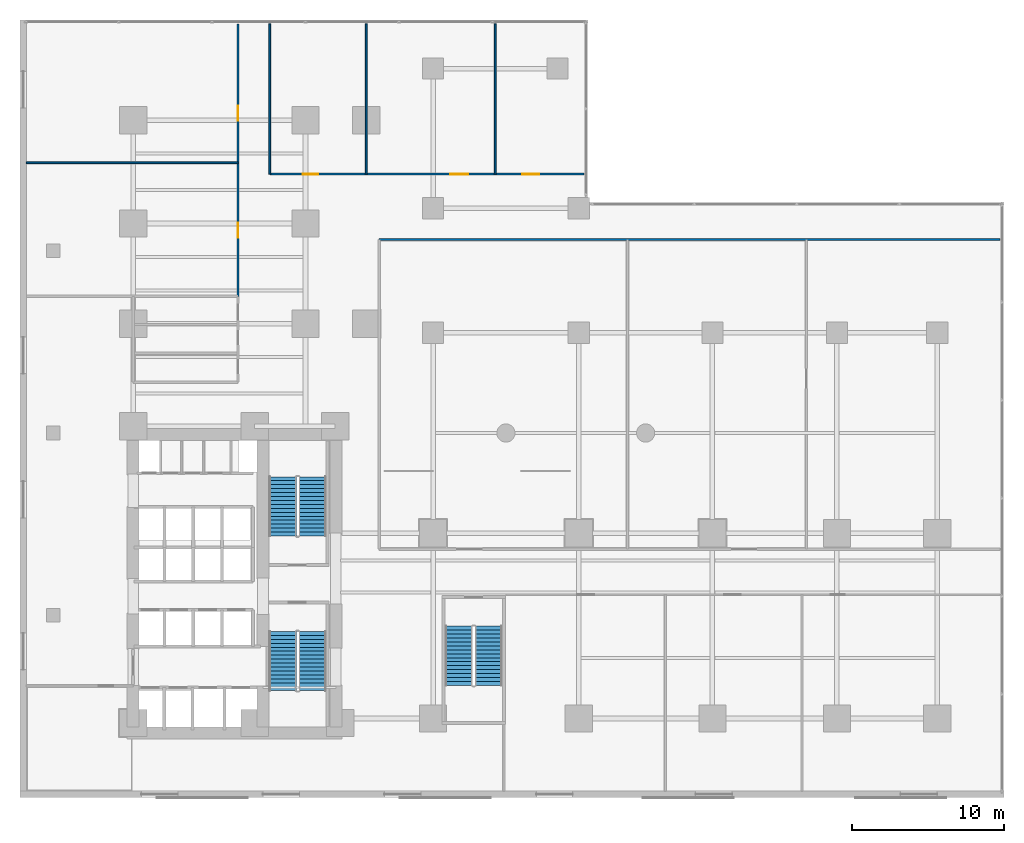
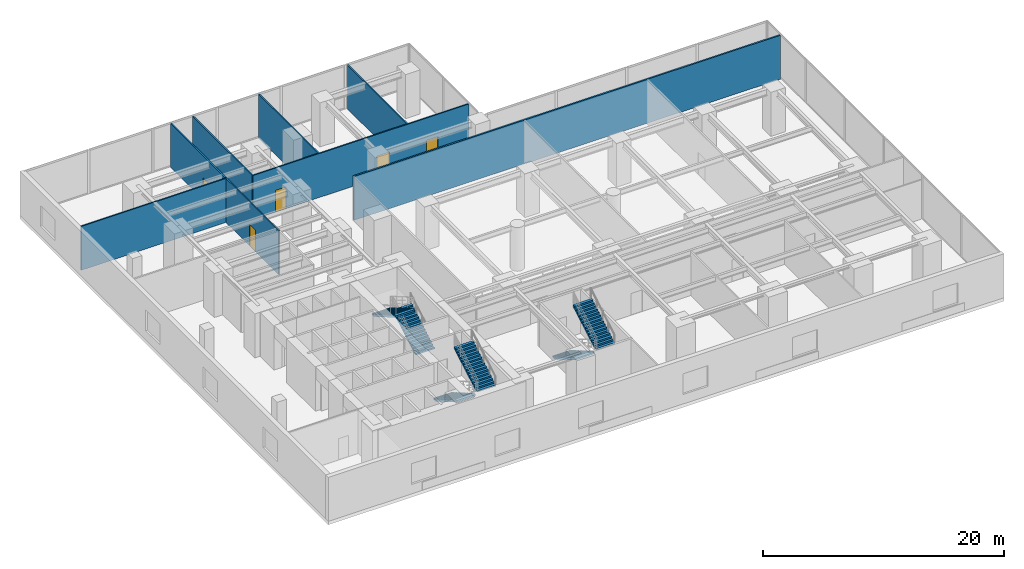
# One storey, part 14 of 16: 7 walls, 6 stair flights, 5 doors, 5 openings, 3 elements without a shape of their own.
"""IFC4 building model written with IfcOpenShell, lengths in metres."""

import ifcopenshell
import ifcopenshell.guid

model = None  # the IFC model being written
_history = None  # IfcOwnerHistory: only IFC2X3 demands one
_inside = {}  # id of a spatial element -> (the spatial element, [elements in it])
_under = {}  # id of a project, library or spatial element -> (it, [spatial elements below it])
_declared = {}  # id of a project -> (the project, [libraries it declares])
_typed = {}  # id of a type object -> (the type object, [elements of that type])
_made_of = {}  # id of a material, layer set ... -> (it, [elements and type objects made of it])


def new_model(schema):
    """Start an empty IFC model of exactly this schema.

    Asked for "IFC4X3", IfcOpenShell would pick the latest addendum, in which some entities
    have other attributes; the version numbers below select the first issue.
    IFC2X3 requires an IfcOwnerHistory on every rooted entity: one is made here for all.
    """
    global model, _history
    if schema == "IFC4X3":
        model = ifcopenshell.file(schema_version=(4, 3, 0, 0))
    else:
        model = ifcopenshell.file(schema=schema)
    _inside.clear()
    _under.clear()
    _declared.clear()
    _typed.clear()
    _made_of.clear()
    _history = None
    if model.schema == "IFC2X3":
        org = make("IfcOrganization", Name="unknown")
        user = make(
            "IfcPersonAndOrganization",
            ThePerson=make("IfcPerson", FamilyName="unknown"),
            TheOrganization=org,
        )
        app = make(
            "IfcApplication",
            ApplicationDeveloper=org,
            Version="unknown",
            ApplicationFullName="unknown",
            ApplicationIdentifier="unknown",
        )
        _history = make(
            "IfcOwnerHistory",
            OwningUser=user,
            OwningApplication=app,
            ChangeAction="ADDED",
            CreationDate=0,
        )
    return model


def make(cls, **values):
    """One entity of the class cls with the attributes given. An attribute that is None is left unset."""
    return model.create_entity(
        cls, **{name: value for name, value in values.items() if value is not None}
    )


def rooted(cls, **values):
    """An entity with a GlobalId (a new one), such as an element, a storey or a relation."""
    return make(cls, GlobalId=ifcopenshell.guid.new(), OwnerHistory=_history, **values)


def si_unit(unit_type, name, prefix=None):
    """IfcSIUnit, for example si_unit("LENGTHUNIT", "METRE", prefix="MILLI")."""
    return make("IfcSIUnit", UnitType=unit_type, Prefix=prefix, Name=name)


def assignment(units):
    """IfcUnitAssignment: the units of a project."""
    return None if units is None else make("IfcUnitAssignment", Units=units)


def point(xyz):
    """IfcCartesianPoint."""
    return None if xyz is None else make("IfcCartesianPoint", Coordinates=xyz)


def direction(xyz):
    """IfcDirection."""
    return None if xyz is None else make("IfcDirection", DirectionRatios=xyz)


def frame(location, z_axis=None, x_axis=None):
    """IfcAxis2Placement3D, a coordinate frame: its origin and axes. An axis left out is left unset."""
    return make(
        "IfcAxis2Placement3D",
        Location=point(location),
        Axis=direction(z_axis),
        RefDirection=direction(x_axis),
    )


def frame_2d(location, x_axis=None):
    """IfcAxis2Placement2D, a coordinate frame in the plane: its origin and x axis."""
    return make(
        "IfcAxis2Placement2D", Location=point(location), RefDirection=direction(x_axis)
    )


def origin():
    """The frame at (0, 0, 0) with its axes left unset."""
    return frame((0.0, 0.0, 0.0))


def place(relative_to, where):
    """IfcLocalPlacement: puts the frame where relative to a parent placement (None: the world)."""
    return make(
        "IfcLocalPlacement", PlacementRelTo=relative_to, RelativePlacement=where
    )


def context(
    kind, dimensions, precision=None, world=None, true_north=None, identifier=None
):
    """IfcGeometricRepresentationContext, for example the 3D "Model" context."""
    return make(
        "IfcGeometricRepresentationContext",
        ContextIdentifier=identifier,
        ContextType=kind,
        CoordinateSpaceDimension=dimensions,
        Precision=precision,
        WorldCoordinateSystem=world,
        TrueNorth=true_north,
    )


def subcontext(parent, identifier, kind, view, scale=None):
    """IfcGeometricRepresentationSubContext, for example "Body" below "Model"."""
    return make(
        "IfcGeometricRepresentationSubContext",
        ContextIdentifier=identifier,
        ContextType=kind,
        ParentContext=parent,
        TargetScale=scale,
        TargetView=view,
    )


def project(units=None, contexts=None):
    """IfcProject with its units and contexts."""
    return rooted(
        "IfcProject",
        Name="project",
        RepresentationContexts=contexts,
        UnitsInContext=assignment(units),
    )


def spatial(cls, under=None, at=None, **own):
    """A site, building, storey or space (cls), placed at a placement, below another one or the project."""
    s = rooted(cls, ObjectPlacement=at, **own)
    if under is not None:
        _under.setdefault(under.id(), (under, []))[1].append(s)
    return s


def polyline(points):
    """IfcPolyline through the points."""
    return make("IfcPolyline", Points=[point(p) for p in points])


def profile(cls, at=None, kind="AREA", **sizes):
    """A parametric profile (cls). Its sizes go by their IFC names, for example OverallWidth=200.0."""
    return make(cls, ProfileType=kind, Position=at, **sizes)


def rectangle(**sizes):
    """IfcRectangleProfileDef."""
    return profile("IfcRectangleProfileDef", **sizes)


def outline(outer, holes=None, kind="AREA"):
    """IfcArbitraryClosedProfileDef: a profile drawn as a closed curve; with holes, ...WithVoids."""
    if holes is None:
        return make("IfcArbitraryClosedProfileDef", ProfileType=kind, OuterCurve=outer)
    return make(
        "IfcArbitraryProfileDefWithVoids",
        ProfileType=kind,
        OuterCurve=outer,
        InnerCurves=holes,
    )


def extrude(swept, where, along, depth):
    """IfcExtrudedAreaSolid: the profile swept, set in the frame where, extruded along a direction by depth."""
    return make(
        "IfcExtrudedAreaSolid",
        SweptArea=swept,
        Position=where,
        ExtrudedDirection=direction(along),
        Depth=depth,
    )


def shape(context_of_items, identifier, shape_type, items):
    """IfcShapeRepresentation: the items that make up one representation, for example the "Body"."""
    return make(
        "IfcShapeRepresentation",
        ContextOfItems=context_of_items,
        RepresentationIdentifier=identifier,
        RepresentationType=shape_type,
        Items=items,
    )


def material(Name=None, Category=None):
    """IfcMaterial."""
    return make("IfcMaterial", Name=Name, Category=Category)


def layer(
    of_material, thickness, ventilated=None, Name=None, Category=None, Priority=None
):
    """IfcMaterialLayer: one layer of a wall or slab, of a material (None: an air gap)."""
    return make(
        "IfcMaterialLayer",
        Material=of_material,
        LayerThickness=thickness,
        IsVentilated=ventilated,
        Name=Name,
        Category=Category,
        Priority=Priority,
    )


def layer_set(layers, Name=None):
    """IfcMaterialLayerSet."""
    return make("IfcMaterialLayerSet", MaterialLayers=layers, LayerSetName=Name)


def made_of(thing, what):
    """Note that an element or type object is made of a material, layer set ...; save() writes the relation."""
    if what is not None:
        _made_of.setdefault(what.id(), (what, []))[1].append(thing)
    return thing


def type_object(cls, material=None, **own):
    """A type object (cls), such as IfcWallType, which elements share."""
    return made_of(rooted(cls, **own), material)


def element(
    cls,
    number,
    at=None,
    inside=None,
    cuts=None,
    type_object=None,
    material=None,
    context=None,
    identifier="Body",
    shape_type=None,
    held_by="IfcProductDefinitionShape",
    body=None,
    shapes=None,
    **own,
):
    """One element of the class cls, such as IfcWall. Its Tag is "e" and its number.

    at: its placement. inside: the storey or other place that contains it. cuts: it is an
    opening in that element (IfcRelVoidsElement). A single representation is given by context,
    identifier, shape_type and body (its items); several are given by shapes. held_by: the class
    of the entity that holds the representations. save() writes the other relations.
    """
    e = rooted(cls, Tag="e%d" % number, ObjectPlacement=at, **own)
    if body is not None:
        shapes = [shape(context, identifier, shape_type, body)]
    if shapes is not None:
        e.Representation = make(held_by, Representations=shapes)
    if inside is not None:
        _inside.setdefault(inside.id(), (inside, []))[1].append(e)
    if cuts is not None:
        rooted(
            "IfcRelVoidsElement", RelatingBuildingElement=cuts, RelatedOpeningElement=e
        )
    if type_object is not None:
        _typed.setdefault(type_object.id(), (type_object, []))[1].append(e)
    return made_of(e, material)


def fill(opening, filler):
    """IfcRelFillsElement: the door or window that sits in an opening."""
    return rooted(
        "IfcRelFillsElement",
        RelatingOpeningElement=opening,
        RelatedBuildingElement=filler,
    )


def aggregate(whole, parts):
    """IfcRelAggregates: a whole, such as a stair, and the parts it consists of."""
    return rooted("IfcRelAggregates", RelatingObject=whole, RelatedObjects=parts)


def save(model, path):
    """Write the relations noted so far, then the file.

    IfcRelAggregates (storeys below a building ...), IfcRelContainedInSpatialStructure (elements
    in a storey), IfcRelDefinesByType, IfcRelAssociatesMaterial and IfcRelDeclares: one each for
    every whole, place, type object, material and project.
    """
    for whole, parts in _under.values():
        aggregate(whole, parts)
    for where, things in _inside.values():
        rooted(
            "IfcRelContainedInSpatialStructure",
            RelatedElements=things,
            RelatingStructure=where,
        )
    for kind, things in _typed.values():
        rooted("IfcRelDefinesByType", RelatedObjects=things, RelatingType=kind)
    for what, things in _made_of.values():
        rooted("IfcRelAssociatesMaterial", RelatedObjects=things, RelatingMaterial=what)
    for by, libraries in _declared.values():
        rooted("IfcRelDeclares", RelatingContext=by, RelatedDefinitions=libraries)
    model.write(path)


model = new_model("IFC4")

# Units and contexts
model_context = context("Model", 3, precision=1e-05, world=origin(), true_north=direction((0.0, 1.0)))
body_context = subcontext(model_context, "Body", "Model", "MODEL_VIEW")
ifc_project = project(units=[si_unit("LENGTHUNIT", "METRE"), si_unit("AREAUNIT", "SQUARE_METRE"), si_unit("VOLUMEUNIT", "CUBIC_METRE"), si_unit("PLANEANGLEUNIT", "RADIAN"), si_unit("MASSUNIT", "GRAM", prefix="KILO")], contexts=[model_context])

# Site, building, storey
site_placement = place(None, origin())
site = spatial("IfcSite", under=ifc_project, at=site_placement, CompositionType="ELEMENT")
building_placement = place(site_placement, origin())
building = spatial("IfcBuilding", under=site, at=building_placement, Name="Kolvaren Waterfront Exchange", CompositionType="ELEMENT")
storey_placement = place(building_placement, frame((0.0, 0.0, 15.199951171875)))
storey = spatial("IfcBuildingStorey", under=building, at=storey_placement, Name="L04", CompositionType="ELEMENT", Elevation=15.199951171875)

# Wall, openings, doors
ifc_material_1 = material(Name="Acoustic gypsum steel stud", Category="steel")
ifc_layer_1 = layer(ifc_material_1, 0.125, Name="Acoustic gypsum steel stud")
ifc_layer_set_1 = layer_set([ifc_layer_1], Name="Acoustic gypsum steel stud")
wall_type_1 = type_object("IfcWallType", Name="ARC-PART-125", PredefinedType="PARTITIONING", material=ifc_layer_set_1)
wall_1_placement = place(storey_placement, frame((14.35009765625, 33.0, 0.0), z_axis=(0.0, 0.0, 1.0), x_axis=(0.0, 1.0, 0.0)))
wall_1 = element("IfcWall", 1, at=wall_1_placement, inside=storey, type_object=wall_type_1, Name="L04 interior wall PW-L04-POD-NW-E", PredefinedType="PARTITIONING", context=body_context, shape_type="SweptSolid", body=[
    extrude(rectangle(XDim=17.949951171875, YDim=0.125, at=frame_2d((8.97509765625, 0.0))), origin(), (0.0, 0.0, 1.0), 4.4599609375),
])
opening_1_placement = place(wall_1_placement, frame((3.85009765625, 0.0, 0.0)))
opening_1 = element("IfcOpeningElement", 2, at=opening_1_placement, cuts=wall_1, Name="Opening D03", PredefinedType="OPENING", context=body_context, shape_type="SweptSolid", body=[
    extrude(rectangle(XDim=1.0, YDim=2.199951171875, at=frame_2d((0.5, 1.10009765625))), frame((0.0, 0.072509765625, 0.0), z_axis=(0.0, -1.0, 0.0), x_axis=(1.0, 0.0, 0.0)), (0.0, 0.0, 1.0), 0.14501953125),
])
opening_2_placement = place(wall_1_placement, frame((11.550048828125, 0.0, 0.0)))
opening_2 = element("IfcOpeningElement", 3, at=opening_2_placement, cuts=wall_1, Name="Opening D03", PredefinedType="OPENING", context=body_context, shape_type="SweptSolid", body=[
    extrude(rectangle(XDim=1.0, YDim=2.199951171875, at=frame_2d((0.5, 1.10009765625))), frame((0.0, 0.072509765625, 0.0), z_axis=(0.0, -1.0, 0.0), x_axis=(1.0, 0.0, 0.0)), (0.0, 0.0, 1.0), 0.14501953125),
])
ifc_material_2 = material(Name="Oak veneer accessible timber", Category="wood")
door_type_1 = type_object("IfcDoorType", Name="ARC-DR-1000", OperationType="NOTDEFINED", PredefinedType="DOOR", material=ifc_material_2)
door_1_placement = place(opening_1_placement, origin())
door_1 = element("IfcDoor", 4, at=door_1_placement, inside=storey, type_object=door_type_1, Name="L04 door DR-L04-PIT1-D (D03)", OperationType="SINGLE_SWING_RIGHT", OverallHeight=2.199951171875, OverallWidth=1.0, PredefinedType="DOOR", context=body_context, shape_type="SweptSolid", body=[
    extrude(rectangle(XDim=1.0, YDim=2.199951171875, at=frame_2d((0.5, 1.10009765625))), frame((0.0, 0.02490234375, 0.0), z_axis=(0.0, -1.0, 0.0), x_axis=(1.0, 0.0, 0.0)), (0.0, 0.0, 1.0), 0.050048828125),
])
fill(opening_1, door_1)
door_2_placement = place(opening_2_placement, origin())
door_2 = element("IfcDoor", 5, at=door_2_placement, inside=storey, type_object=door_type_1, Name="L04 door DR-L04-PIT2-D (D03)", OperationType="SINGLE_SWING_LEFT", OverallHeight=2.199951171875, OverallWidth=1.0, PredefinedType="DOOR", context=body_context, shape_type="SweptSolid", body=[
    extrude(rectangle(XDim=1.0, YDim=2.199951171875, at=frame_2d((0.5, 1.10009765625))), frame((0.0, 0.02490234375, 0.0), z_axis=(0.0, -1.0, 0.0), x_axis=(1.0, 0.0, 0.0)), (0.0, 0.0, 1.0), 0.050048828125),
])
fill(opening_2, door_2)

# Wall
wall_2_placement = place(storey_placement, frame((0.419921875, 41.800048828125, 0.0), z_axis=(0.0, 0.0, 1.0), x_axis=(1.0, 0.0, 0.0)))
element("IfcWall", 6, at=wall_2_placement, inside=storey, type_object=wall_type_1, Name="L04 interior wall PW-L04-POD-NW-MID", PredefinedType="PARTITIONING", context=body_context, shape_type="SweptSolid", body=[
    extrude(rectangle(XDim=13.93017578125, YDim=0.125, at=frame_2d((6.965087890625, 0.0))), origin(), (0.0, 0.0, 1.0), 4.4599609375),
])

# Wall, openings, doors
wall_3_placement = place(storey_placement, frame((16.449951171875, 41.050048828125, 0.0), z_axis=(0.0, 0.0, 1.0), x_axis=(1.0, 0.0, 0.0)))
wall_3 = element("IfcWall", 7, at=wall_3_placement, inside=storey, type_object=wall_type_1, Name="L04 interior wall PW-L04-POD-NE-S", PredefinedType="PARTITIONING", context=body_context, shape_type="SweptSolid", body=[
    extrude(rectangle(XDim=20.699951171875, YDim=0.125, at=frame_2d((10.35009765625, 0.0))), origin(), (0.0, 0.0, 1.0), 4.4599609375),
])
opening_3_placement = place(wall_3_placement, frame((2.177978515625, 0.0, 0.0)))
opening_3 = element("IfcOpeningElement", 8, at=opening_3_placement, cuts=wall_3, Name="Opening D03", PredefinedType="OPENING", context=body_context, shape_type="SweptSolid", body=[
    extrude(rectangle(XDim=1.0, YDim=2.199951171875, at=frame_2d((0.5, 1.10009765625))), frame((0.0, 0.072509765625, 0.0), z_axis=(0.0, -1.0, 0.0), x_axis=(1.0, 0.0, 0.0)), (0.0, 0.0, 1.0), 0.14501953125),
])
opening_4_placement = place(wall_3_placement, frame((11.880859375, 0.0, 0.0)))
opening_4 = element("IfcOpeningElement", 9, at=opening_4_placement, cuts=wall_3, Name="Opening D05", PredefinedType="OPENING", context=body_context, shape_type="SweptSolid", body=[
    extrude(rectangle(XDim=1.199951171875, YDim=2.25, at=frame_2d((0.60009765625, 1.125))), frame((0.0, 0.072509765625, 0.0), z_axis=(0.0, -1.0, 0.0), x_axis=(1.0, 0.0, 0.0)), (0.0, 0.0, 1.0), 0.14501953125),
])
opening_5_placement = place(wall_3_placement, frame((16.62890625, 0.0, 0.0)))
opening_5 = element("IfcOpeningElement", 10, at=opening_5_placement, cuts=wall_3, Name="Opening D04", PredefinedType="OPENING", context=body_context, shape_type="SweptSolid", body=[
    extrude(rectangle(XDim=1.10009765625, YDim=2.199951171875, at=frame_2d((0.550048828125, 1.10009765625))), frame((0.0, 0.072509765625, 0.0), z_axis=(0.0, -1.0, 0.0), x_axis=(1.0, 0.0, 0.0)), (0.0, 0.0, 1.0), 0.14501953125),
])
door_3_placement = place(opening_3_placement, origin())
door_3 = element("IfcDoor", 11, at=door_3_placement, inside=storey, type_object=door_type_1, Name="L04 door DR-L04-POPS-D (D03)", OperationType="SINGLE_SWING_RIGHT", OverallHeight=2.199951171875, OverallWidth=1.0, PredefinedType="DOOR", context=body_context, shape_type="SweptSolid", body=[
    extrude(rectangle(XDim=1.0, YDim=2.199951171875, at=frame_2d((0.5, 1.10009765625))), frame((0.0, 0.02490234375, 0.0), z_axis=(0.0, -1.0, 0.0), x_axis=(1.0, 0.0, 0.0)), (0.0, 0.0, 1.0), 0.050048828125),
])
fill(opening_3, door_3)
ifc_material_3 = material(Name="Anodised bronze framed glass", Category="aluminium")
door_type_2 = type_object("IfcDoorType", Name="ARC-DR-1100", OperationType="NOTDEFINED", PredefinedType="DOOR", material=ifc_material_3)
door_4_placement = place(opening_5_placement, origin())
door_4 = element("IfcDoor", 12, at=door_4_placement, inside=storey, type_object=door_type_2, Name="L04 door DR-L04-PFOY2-D (D04)", OperationType="SINGLE_SWING_RIGHT", OverallHeight=2.199951171875, OverallWidth=1.10009765625, PredefinedType="DOOR", context=body_context, shape_type="SweptSolid", body=[
    extrude(rectangle(XDim=1.10009765625, YDim=2.199951171875, at=frame_2d((0.550048828125, 1.10009765625))), frame((0.0, 0.02490234375, 0.0), z_axis=(0.0, -1.0, 0.0), x_axis=(1.0, 0.0, 0.0)), (0.0, 0.0, 1.0), 0.050048828125),
])
fill(opening_5, door_4)
door_type_3 = type_object("IfcDoorType", Name="ARC-DR-1200", OperationType="NOTDEFINED", PredefinedType="DOOR", material=ifc_material_3)
door_5_placement = place(opening_4_placement, origin())
door_5 = element("IfcDoor", 13, at=door_5_placement, inside=storey, type_object=door_type_3, Name="L04 door DR-L04-PFOY1-D (D05)", OperationType="SINGLE_SWING_LEFT", OverallHeight=2.25, OverallWidth=1.199951171875, PredefinedType="DOOR", context=body_context, shape_type="SweptSolid", body=[
    extrude(rectangle(XDim=1.199951171875, YDim=2.25, at=frame_2d((0.60009765625, 1.125))), frame((0.0, 0.02490234375, 0.0), z_axis=(0.0, -1.0, 0.0), x_axis=(1.0, 0.0, 0.0)), (0.0, 0.0, 1.0), 0.050048828125),
])
fill(opening_4, door_5)

# Walls
for number, where, z_axis, x_axis, name in (
    (14, (16.449951171875, 41.050048828125, 0.0), (0.0, 0.0, 1.0), (0.0, 1.0, 0.0), "L04 interior wall PW-L04-POD-NE-W0"),
    (15, (22.800048828125, 41.050048828125, 0.0), (0.0, 0.0, 1.0), (0.0, 1.0, 0.0), "L04 interior wall PW-L04-POD-NE-M1"),
    (16, (31.300048828125, 41.050048828125, 0.0), (0.0, 0.0, 1.0), (0.0, 1.0, 0.0), "L04 interior wall PW-L04-POD-NE-M2"),
):
    element("IfcWall", number, at=place(storey_placement, frame(where, z_axis=z_axis, x_axis=x_axis)), inside=storey, type_object=wall_type_1, Name=name, PredefinedType="PARTITIONING", context=body_context, shape_type="SweptSolid", body=[
        extrude(rectangle(XDim=9.89990234375, YDim=0.125, at=frame_2d((4.949951171875, 0.0))), origin(), (0.0, 0.0, 1.0), 4.4599609375),
    ])
ifc_material_4 = material(Name="Gypsum fireboard steel stud", Category="steel")
ifc_layer_2 = layer(ifc_material_4, 0.14990234375, Name="Gypsum fireboard steel stud")
ifc_layer_set_2 = layer_set([ifc_layer_2], Name="Gypsum fireboard steel stud")
wall_type_2 = type_object("IfcWallType", Name="ARC-PART-150", PredefinedType="PARTITIONING", material=ifc_layer_set_2)
wall_4_placement = place(storey_placement, frame((23.64990234375, 36.75, 0.0), z_axis=(0.0, 0.0, 1.0), x_axis=(1.0, 0.0, 0.0)))
element("IfcWall", 17, at=wall_4_placement, inside=storey, type_object=wall_type_2, Name="L04 interior wall PW-L04-POD-HALL-N", PredefinedType="PARTITIONING", context=body_context, shape_type="SweptSolid", body=[
    extrude(rectangle(XDim=40.900146484375, YDim=0.14990234375, at=frame_2d((20.4501953125, 0.0))), origin(), (0.0, 0.0, 1.0), 4.4599609375),
])

# Stair, stair flights
ifc_material_5 = material(Name="Concrete C40/50", Category="concrete")
stair_type = type_object("IfcStairType", Name="ARC-STAIR-4800", PredefinedType="HALF_TURN_STAIR", material=ifc_material_5)
stair_1_placement = place(storey_placement, origin())
stair_1 = element("IfcStair", 18, at=stair_1_placement, inside=storey, type_object=stair_type, Name="L04 Smoke-proof exit stair ST1", PredefinedType="HALF_TURN_STAIR")
stair_flight_type = type_object("IfcStairFlightType", Name="ARC-FLIGHT-4800", PredefinedType="STRAIGHT", material=ifc_material_5)
stair_flight_1_placement = place(storey_placement, frame((17.300048828125, 10.929931640625, 0.0), z_axis=(0.0, 0.0, 1.0), x_axis=(0.0, -1.0, 0.0)))
stair_flight_1 = element("IfcStairFlight", 19, at=stair_flight_1_placement, type_object=stair_flight_type, Name="ST1 flight 1", NumberOfRisers=16, NumberOfTreads=15, PredefinedType="STRAIGHT", RiserHeight=0.15, TreadLength=0.26, context=body_context, shape_type="SweptSolid", body=[
    extrude(outline(polyline([(0.0, 0.0), (0.0, 0.14990234375), (0.260009765625, 0.14990234375), (0.260009765625, 0.300048828125), (0.52001953125, 0.300048828125), (0.52001953125, 0.449951171875), (0.780029296875, 0.449951171875), (0.780029296875, 0.60009765625), (1.0400390625, 0.60009765625), (1.0400390625, 0.75), (1.300048828125, 0.75), (1.300048828125, 0.89990234375), (1.56005859375, 0.89990234375), (1.56005859375, 1.050048828125), (1.820068359375, 1.050048828125), (1.820068359375, 1.199951171875), (2.080078125, 1.199951171875), (2.080078125, 1.35009765625), (2.340087890625, 1.35009765625), (2.340087890625, 1.5), (2.60009765625, 1.5), (2.60009765625, 1.64990234375), (2.860107421875, 1.64990234375), (2.860107421875, 1.800048828125), (3.1201171875, 1.800048828125), (3.1201171875, 1.949951171875), (3.3798828125, 1.949951171875), (3.3798828125, 2.10009765625), (3.639892578125, 2.10009765625), (3.639892578125, 2.25), (3.89990234375, 2.25), (3.89990234375, 2.39990234375), (3.89990234375, 2.076904296875), (0.300048828125, 0.0), (0.0, 0.0)])), frame((0.0, 0.89990234375, 0.0), z_axis=(0.0, -1.0, 0.0), x_axis=(1.0, 0.0, 0.0)), (0.0, 0.0, 1.0), 1.800048828125),
])
stair_flight_2_placement = place(storey_placement, frame((19.260009765625, 7.030029296875, 2.400146484375), z_axis=(0.0, 0.0, 1.0), x_axis=(0.0, 1.0, 0.0)))
stair_flight_2 = element("IfcStairFlight", 20, at=stair_flight_2_placement, type_object=stair_flight_type, Name="ST1 flight 2", NumberOfRisers=16, NumberOfTreads=15, PredefinedType="STRAIGHT", RiserHeight=0.15, TreadLength=0.26, context=body_context, shape_type="SweptSolid", body=[
    extrude(outline(polyline([(0.0, 0.0), (0.0, 0.14990234375), (0.260009765625, 0.14990234375), (0.260009765625, 0.300048828125), (0.52001953125, 0.300048828125), (0.52001953125, 0.449951171875), (0.780029296875, 0.449951171875), (0.780029296875, 0.60009765625), (1.0400390625, 0.60009765625), (1.0400390625, 0.75), (1.300048828125, 0.75), (1.300048828125, 0.89990234375), (1.56005859375, 0.89990234375), (1.56005859375, 1.050048828125), (1.820068359375, 1.050048828125), (1.820068359375, 1.199951171875), (2.080078125, 1.199951171875), (2.080078125, 1.35009765625), (2.340087890625, 1.35009765625), (2.340087890625, 1.5), (2.60009765625, 1.5), (2.60009765625, 1.64990234375), (2.860107421875, 1.64990234375), (2.860107421875, 1.800048828125), (3.1201171875, 1.800048828125), (3.1201171875, 1.949951171875), (3.3798828125, 1.949951171875), (3.3798828125, 2.10009765625), (3.639892578125, 2.10009765625), (3.639892578125, 2.25), (3.89990234375, 2.25), (3.89990234375, 2.39990234375), (3.89990234375, 2.076904296875), (0.300048828125, 0.0), (0.0, 0.0)])), frame((0.0, 0.89990234375, 0.0), z_axis=(0.0, -1.0, 0.0), x_axis=(1.0, 0.0, 0.0)), (0.0, 0.0, 1.0), 1.800048828125),
])
aggregate(stair_1, [stair_flight_1, stair_flight_2])

stair_2_placement = place(storey_placement, origin())
stair_2 = element("IfcStair", 21, at=stair_2_placement, inside=storey, type_object=stair_type, Name="L04 Smoke-proof exit stair ST2", PredefinedType="HALF_TURN_STAIR")
stair_flight_3_placement = place(storey_placement, frame((19.260009765625, 17.219970703125, 0.0), z_axis=(0.0, 0.0, 1.0), x_axis=(0.0, 1.0, 0.0)))
stair_flight_3 = element("IfcStairFlight", 22, at=stair_flight_3_placement, type_object=stair_flight_type, Name="ST2 flight 1", NumberOfRisers=16, NumberOfTreads=15, PredefinedType="STRAIGHT", RiserHeight=0.15, TreadLength=0.26, context=body_context, shape_type="SweptSolid", body=[
    extrude(outline(polyline([(0.0, 0.0), (0.0, 0.14990234375), (0.260009765625, 0.14990234375), (0.260009765625, 0.300048828125), (0.52001953125, 0.300048828125), (0.52001953125, 0.449951171875), (0.780029296875, 0.449951171875), (0.780029296875, 0.60009765625), (1.0400390625, 0.60009765625), (1.0400390625, 0.75), (1.300048828125, 0.75), (1.300048828125, 0.89990234375), (1.56005859375, 0.89990234375), (1.56005859375, 1.050048828125), (1.820068359375, 1.050048828125), (1.820068359375, 1.199951171875), (2.080078125, 1.199951171875), (2.080078125, 1.35009765625), (2.340087890625, 1.35009765625), (2.340087890625, 1.5), (2.60009765625, 1.5), (2.60009765625, 1.64990234375), (2.860107421875, 1.64990234375), (2.860107421875, 1.800048828125), (3.1201171875, 1.800048828125), (3.1201171875, 1.949951171875), (3.3798828125, 1.949951171875), (3.3798828125, 2.10009765625), (3.639892578125, 2.10009765625), (3.639892578125, 2.25), (3.89990234375, 2.25), (3.89990234375, 2.39990234375), (3.89990234375, 2.076904296875), (0.300048828125, 0.0), (0.0, 0.0)])), frame((0.0, 0.89990234375, 0.0), z_axis=(0.0, -1.0, 0.0), x_axis=(1.0, 0.0, 0.0)), (0.0, 0.0, 1.0), 1.800048828125),
])
stair_flight_4_placement = place(storey_placement, frame((17.300048828125, 21.1201171875, 2.400146484375), z_axis=(0.0, 0.0, 1.0), x_axis=(0.0, -1.0, 0.0)))
stair_flight_4 = element("IfcStairFlight", 23, at=stair_flight_4_placement, type_object=stair_flight_type, Name="ST2 flight 2", NumberOfRisers=16, NumberOfTreads=15, PredefinedType="STRAIGHT", RiserHeight=0.15, TreadLength=0.26, context=body_context, shape_type="SweptSolid", body=[
    extrude(outline(polyline([(0.0, 0.0), (0.0, 0.14990234375), (0.260009765625, 0.14990234375), (0.260009765625, 0.300048828125), (0.52001953125, 0.300048828125), (0.52001953125, 0.449951171875), (0.780029296875, 0.449951171875), (0.780029296875, 0.60009765625), (1.0400390625, 0.60009765625), (1.0400390625, 0.75), (1.300048828125, 0.75), (1.300048828125, 0.89990234375), (1.56005859375, 0.89990234375), (1.56005859375, 1.050048828125), (1.820068359375, 1.050048828125), (1.820068359375, 1.199951171875), (2.080078125, 1.199951171875), (2.080078125, 1.35009765625), (2.340087890625, 1.35009765625), (2.340087890625, 1.5), (2.60009765625, 1.5), (2.60009765625, 1.64990234375), (2.860107421875, 1.64990234375), (2.860107421875, 1.800048828125), (3.1201171875, 1.800048828125), (3.1201171875, 1.949951171875), (3.3798828125, 1.949951171875), (3.3798828125, 2.10009765625), (3.639892578125, 2.10009765625), (3.639892578125, 2.25), (3.89990234375, 2.25), (3.89990234375, 2.39990234375), (3.89990234375, 2.076904296875), (0.300048828125, 0.0), (0.0, 0.0)])), frame((0.0, 0.89990234375, 0.0), z_axis=(0.0, -1.0, 0.0), x_axis=(1.0, 0.0, 0.0)), (0.0, 0.0, 1.0), 1.800048828125),
])
aggregate(stair_2, [stair_flight_3, stair_flight_4])

stair_3_placement = place(storey_placement, origin())
stair_3 = element("IfcStair", 24, at=stair_3_placement, inside=storey, type_object=stair_type, Name="L04 Exit stair ST3", PredefinedType="HALF_TURN_STAIR")
stair_flight_5_placement = place(storey_placement, frame((28.89990234375, 11.280029296875, 0.0), z_axis=(0.0, 0.0, 1.0), x_axis=(0.0, -1.0, 0.0)))
stair_flight_5 = element("IfcStairFlight", 25, at=stair_flight_5_placement, type_object=stair_flight_type, Name="ST3 flight 1", NumberOfRisers=16, NumberOfTreads=15, PredefinedType="STRAIGHT", RiserHeight=0.15, TreadLength=0.26, context=body_context, shape_type="SweptSolid", body=[
    extrude(outline(polyline([(0.0, 0.0), (0.0, 0.14990234375), (0.260009765625, 0.14990234375), (0.260009765625, 0.300048828125), (0.52001953125, 0.300048828125), (0.52001953125, 0.449951171875), (0.780029296875, 0.449951171875), (0.780029296875, 0.60009765625), (1.0400390625, 0.60009765625), (1.0400390625, 0.75), (1.300048828125, 0.75), (1.300048828125, 0.89990234375), (1.56005859375, 0.89990234375), (1.56005859375, 1.050048828125), (1.820068359375, 1.050048828125), (1.820068359375, 1.199951171875), (2.080078125, 1.199951171875), (2.080078125, 1.35009765625), (2.340087890625, 1.35009765625), (2.340087890625, 1.5), (2.60009765625, 1.5), (2.60009765625, 1.64990234375), (2.860107421875, 1.64990234375), (2.860107421875, 1.800048828125), (3.1201171875, 1.800048828125), (3.1201171875, 1.949951171875), (3.3798828125, 1.949951171875), (3.3798828125, 2.10009765625), (3.639892578125, 2.10009765625), (3.639892578125, 2.25), (3.89990234375, 2.25), (3.89990234375, 2.39990234375), (3.89990234375, 2.076904296875), (0.300048828125, 0.0), (0.0, 0.0)])), frame((0.0, 0.89990234375, 0.0), z_axis=(0.0, -1.0, 0.0), x_axis=(1.0, 0.0, 0.0)), (0.0, 0.0, 1.0), 1.800048828125),
])
stair_flight_6_placement = place(storey_placement, frame((30.860107421875, 7.3798828125, 2.400146484375), z_axis=(0.0, 0.0, 1.0), x_axis=(0.0, 1.0, 0.0)))
stair_flight_6 = element("IfcStairFlight", 26, at=stair_flight_6_placement, type_object=stair_flight_type, Name="ST3 flight 2", NumberOfRisers=16, NumberOfTreads=15, PredefinedType="STRAIGHT", RiserHeight=0.15, TreadLength=0.26, context=body_context, shape_type="SweptSolid", body=[
    extrude(outline(polyline([(0.0, 0.0), (0.0, 0.14990234375), (0.260009765625, 0.14990234375), (0.260009765625, 0.300048828125), (0.52001953125, 0.300048828125), (0.52001953125, 0.449951171875), (0.780029296875, 0.449951171875), (0.780029296875, 0.60009765625), (1.0400390625, 0.60009765625), (1.0400390625, 0.75), (1.300048828125, 0.75), (1.300048828125, 0.89990234375), (1.56005859375, 0.89990234375), (1.56005859375, 1.050048828125), (1.820068359375, 1.050048828125), (1.820068359375, 1.199951171875), (2.080078125, 1.199951171875), (2.080078125, 1.35009765625), (2.340087890625, 1.35009765625), (2.340087890625, 1.5), (2.60009765625, 1.5), (2.60009765625, 1.64990234375), (2.860107421875, 1.64990234375), (2.860107421875, 1.800048828125), (3.1201171875, 1.800048828125), (3.1201171875, 1.949951171875), (3.3798828125, 1.949951171875), (3.3798828125, 2.10009765625), (3.639892578125, 2.10009765625), (3.639892578125, 2.25), (3.89990234375, 2.25), (3.89990234375, 2.39990234375), (3.89990234375, 2.076904296875), (0.300048828125, 0.0), (0.0, 0.0)])), frame((0.0, 0.89990234375, 0.0), z_axis=(0.0, -1.0, 0.0), x_axis=(1.0, 0.0, 0.0)), (0.0, 0.0, 1.0), 1.800048828125),
])
aggregate(stair_3, [stair_flight_5, stair_flight_6])

save(model, "model.ifc")
